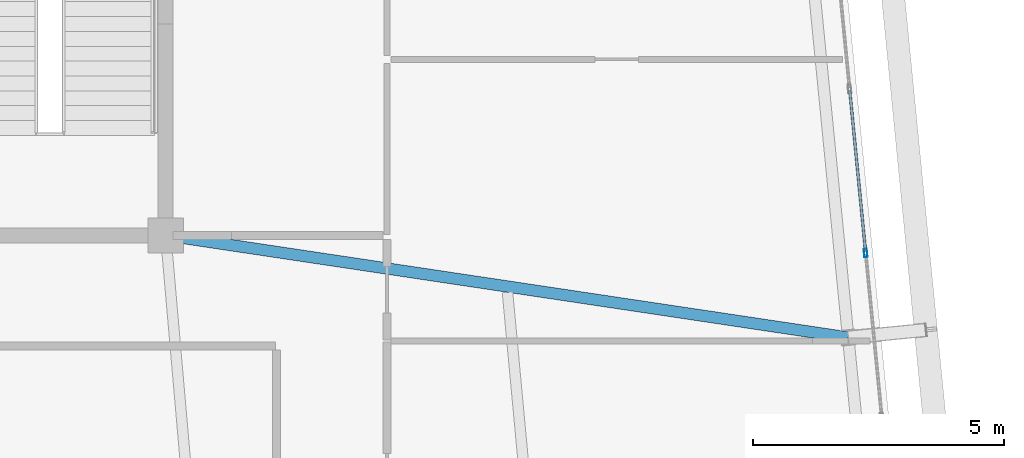
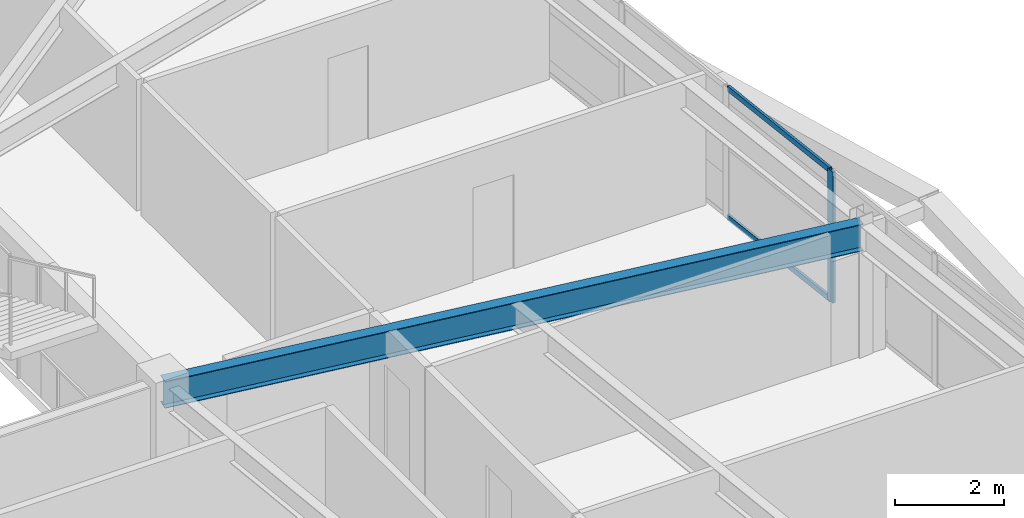
# One storey, part 25 of 53: 3 members, 1 beam, 1 element without a shape of its own.
"""IFC4 building model written with IfcOpenShell, lengths in metres."""

import ifcopenshell
import ifcopenshell.guid

model = None  # the IFC model being written
_history = None  # IfcOwnerHistory: only IFC2X3 demands one
_inside = {}  # id of a spatial element -> (the spatial element, [elements in it])
_under = {}  # id of a project, library or spatial element -> (it, [spatial elements below it])
_declared = {}  # id of a project -> (the project, [libraries it declares])
_typed = {}  # id of a type object -> (the type object, [elements of that type])
_made_of = {}  # id of a material, layer set ... -> (it, [elements and type objects made of it])


def new_model(schema):
    """Start an empty IFC model of exactly this schema.

    Asked for "IFC4X3", IfcOpenShell would pick the latest addendum, in which some entities
    have other attributes; the version numbers below select the first issue.
    IFC2X3 requires an IfcOwnerHistory on every rooted entity: one is made here for all.
    """
    global model, _history
    if schema == "IFC4X3":
        model = ifcopenshell.file(schema_version=(4, 3, 0, 0))
    else:
        model = ifcopenshell.file(schema=schema)
    _inside.clear()
    _under.clear()
    _declared.clear()
    _typed.clear()
    _made_of.clear()
    _history = None
    if model.schema == "IFC2X3":
        org = make("IfcOrganization", Name="unknown")
        user = make(
            "IfcPersonAndOrganization",
            ThePerson=make("IfcPerson", FamilyName="unknown"),
            TheOrganization=org,
        )
        app = make(
            "IfcApplication",
            ApplicationDeveloper=org,
            Version="unknown",
            ApplicationFullName="unknown",
            ApplicationIdentifier="unknown",
        )
        _history = make(
            "IfcOwnerHistory",
            OwningUser=user,
            OwningApplication=app,
            ChangeAction="ADDED",
            CreationDate=0,
        )
    return model


def make(cls, **values):
    """One entity of the class cls with the attributes given. An attribute that is None is left unset."""
    return model.create_entity(
        cls, **{name: value for name, value in values.items() if value is not None}
    )


def rooted(cls, **values):
    """An entity with a GlobalId (a new one), such as an element, a storey or a relation."""
    return make(cls, GlobalId=ifcopenshell.guid.new(), OwnerHistory=_history, **values)


def si_unit(unit_type, name, prefix=None):
    """IfcSIUnit, for example si_unit("LENGTHUNIT", "METRE", prefix="MILLI")."""
    return make("IfcSIUnit", UnitType=unit_type, Prefix=prefix, Name=name)


def assignment(units):
    """IfcUnitAssignment: the units of a project."""
    return None if units is None else make("IfcUnitAssignment", Units=units)


def point(xyz):
    """IfcCartesianPoint."""
    return None if xyz is None else make("IfcCartesianPoint", Coordinates=xyz)


def direction(xyz):
    """IfcDirection."""
    return None if xyz is None else make("IfcDirection", DirectionRatios=xyz)


def frame(location, z_axis=None, x_axis=None):
    """IfcAxis2Placement3D, a coordinate frame: its origin and axes. An axis left out is left unset."""
    return make(
        "IfcAxis2Placement3D",
        Location=point(location),
        Axis=direction(z_axis),
        RefDirection=direction(x_axis),
    )


def frame_2d(location, x_axis=None):
    """IfcAxis2Placement2D, a coordinate frame in the plane: its origin and x axis."""
    return make(
        "IfcAxis2Placement2D", Location=point(location), RefDirection=direction(x_axis)
    )


def origin():
    """The frame at (0, 0, 0) with its axes left unset."""
    return frame((0.0, 0.0, 0.0))


def origin_2d():
    """The frame at (0, 0) in the plane with its x axis left unset."""
    return frame_2d((0.0, 0.0))


def place(relative_to, where):
    """IfcLocalPlacement: puts the frame where relative to a parent placement (None: the world)."""
    return make(
        "IfcLocalPlacement", PlacementRelTo=relative_to, RelativePlacement=where
    )


def context(
    kind, dimensions, precision=None, world=None, true_north=None, identifier=None
):
    """IfcGeometricRepresentationContext, for example the 3D "Model" context."""
    return make(
        "IfcGeometricRepresentationContext",
        ContextIdentifier=identifier,
        ContextType=kind,
        CoordinateSpaceDimension=dimensions,
        Precision=precision,
        WorldCoordinateSystem=world,
        TrueNorth=true_north,
    )


def subcontext(parent, identifier, kind, view, scale=None):
    """IfcGeometricRepresentationSubContext, for example "Body" below "Model"."""
    return make(
        "IfcGeometricRepresentationSubContext",
        ContextIdentifier=identifier,
        ContextType=kind,
        ParentContext=parent,
        TargetScale=scale,
        TargetView=view,
    )


def project(units=None, contexts=None):
    """IfcProject with its units and contexts."""
    return rooted(
        "IfcProject",
        Name="project",
        RepresentationContexts=contexts,
        UnitsInContext=assignment(units),
    )


def spatial(cls, under=None, at=None, **own):
    """A site, building, storey or space (cls), placed at a placement, below another one or the project."""
    s = rooted(cls, ObjectPlacement=at, **own)
    if under is not None:
        _under.setdefault(under.id(), (under, []))[1].append(s)
    return s


def profile(cls, at=None, kind="AREA", **sizes):
    """A parametric profile (cls). Its sizes go by their IFC names, for example OverallWidth=200.0."""
    return make(cls, ProfileType=kind, Position=at, **sizes)


def hollow_rectangle(**sizes):
    """IfcRectangleHollowProfileDef."""
    return profile("IfcRectangleHollowProfileDef", **sizes)


def i_section(**sizes):
    """IfcIShapeProfileDef."""
    return profile("IfcIShapeProfileDef", **sizes)


def extrude(swept, where, along, depth):
    """IfcExtrudedAreaSolid: the profile swept, set in the frame where, extruded along a direction by depth."""
    return make(
        "IfcExtrudedAreaSolid",
        SweptArea=swept,
        Position=where,
        ExtrudedDirection=direction(along),
        Depth=depth,
    )


def shape(context_of_items, identifier, shape_type, items):
    """IfcShapeRepresentation: the items that make up one representation, for example the "Body"."""
    return make(
        "IfcShapeRepresentation",
        ContextOfItems=context_of_items,
        RepresentationIdentifier=identifier,
        RepresentationType=shape_type,
        Items=items,
    )


def source(mapping_origin, context_of_items, identifier, shape_type, items):
    """IfcRepresentationMap: a shape defined once, which mapped items show again and again."""
    return make(
        "IfcRepresentationMap",
        MappingOrigin=mapping_origin,
        MappedRepresentation=shape(context_of_items, identifier, shape_type, items),
    )


def transform(
    local_origin,
    x_axis=None,
    y_axis=None,
    z_axis=None,
    scale=None,
    scale2=None,
    scale3=None,
    uniform=True,
):
    """IfcCartesianTransformationOperator3D, or its non-uniform kind. x_axis, y_axis, z_axis: its Axis1, 2, 3."""
    if uniform:
        return make(
            "IfcCartesianTransformationOperator3D",
            Axis1=direction(x_axis),
            Axis2=direction(y_axis),
            LocalOrigin=point(local_origin),
            Scale=scale,
            Axis3=direction(z_axis),
        )
    return make(
        "IfcCartesianTransformationOperator3DnonUniform",
        Axis1=direction(x_axis),
        Axis2=direction(y_axis),
        LocalOrigin=point(local_origin),
        Scale=scale,
        Axis3=direction(z_axis),
        Scale2=scale2,
        Scale3=scale3,
    )


def mapped(mapping_source, mapping_target):
    """IfcMappedItem: shows the shape of a source again, moved by a transform."""
    return make(
        "IfcMappedItem", MappingSource=mapping_source, MappingTarget=mapping_target
    )


def material(Name=None, Category=None):
    """IfcMaterial."""
    return make("IfcMaterial", Name=Name, Category=Category)


def layer(
    of_material, thickness, ventilated=None, Name=None, Category=None, Priority=None
):
    """IfcMaterialLayer: one layer of a wall or slab, of a material (None: an air gap)."""
    return make(
        "IfcMaterialLayer",
        Material=of_material,
        LayerThickness=thickness,
        IsVentilated=ventilated,
        Name=Name,
        Category=Category,
        Priority=Priority,
    )


def layer_set(layers, Name=None):
    """IfcMaterialLayerSet."""
    return make("IfcMaterialLayerSet", MaterialLayers=layers, LayerSetName=Name)


def material_profile(
    of_material, cross_section, Name=None, Category=None, Priority=None
):
    """IfcMaterialProfile: a cross section and its material."""
    return make(
        "IfcMaterialProfile",
        Name=Name,
        Material=of_material,
        Profile=cross_section,
        Priority=Priority,
        Category=Category,
    )


def profile_set(profiles, Name=None, composite=None):
    """IfcMaterialProfileSet."""
    return make(
        "IfcMaterialProfileSet",
        Name=Name,
        MaterialProfiles=profiles,
        CompositeProfile=composite,
    )


def made_of(thing, what):
    """Note that an element or type object is made of a material, layer set ...; save() writes the relation."""
    if what is not None:
        _made_of.setdefault(what.id(), (what, []))[1].append(thing)
    return thing


def type_object(cls, material=None, **own):
    """A type object (cls), such as IfcWallType, which elements share."""
    return made_of(rooted(cls, **own), material)


def element(
    cls,
    number,
    at=None,
    inside=None,
    cuts=None,
    type_object=None,
    material=None,
    context=None,
    identifier="Body",
    shape_type=None,
    held_by="IfcProductDefinitionShape",
    body=None,
    shapes=None,
    **own,
):
    """One element of the class cls, such as IfcWall. Its Tag is "e" and its number.

    at: its placement. inside: the storey or other place that contains it. cuts: it is an
    opening in that element (IfcRelVoidsElement). A single representation is given by context,
    identifier, shape_type and body (its items); several are given by shapes. held_by: the class
    of the entity that holds the representations. save() writes the other relations.
    """
    e = rooted(cls, Tag="e%d" % number, ObjectPlacement=at, **own)
    if body is not None:
        shapes = [shape(context, identifier, shape_type, body)]
    if shapes is not None:
        e.Representation = make(held_by, Representations=shapes)
    if inside is not None:
        _inside.setdefault(inside.id(), (inside, []))[1].append(e)
    if cuts is not None:
        rooted(
            "IfcRelVoidsElement", RelatingBuildingElement=cuts, RelatedOpeningElement=e
        )
    if type_object is not None:
        _typed.setdefault(type_object.id(), (type_object, []))[1].append(e)
    return made_of(e, material)


def aggregate(whole, parts):
    """IfcRelAggregates: a whole, such as a stair, and the parts it consists of."""
    return rooted("IfcRelAggregates", RelatingObject=whole, RelatedObjects=parts)


def save(model, path):
    """Write the relations noted so far, then the file.

    IfcRelAggregates (storeys below a building ...), IfcRelContainedInSpatialStructure (elements
    in a storey), IfcRelDefinesByType, IfcRelAssociatesMaterial and IfcRelDeclares: one each for
    every whole, place, type object, material and project.
    """
    for whole, parts in _under.values():
        aggregate(whole, parts)
    for where, things in _inside.values():
        rooted(
            "IfcRelContainedInSpatialStructure",
            RelatedElements=things,
            RelatingStructure=where,
        )
    for kind, things in _typed.values():
        rooted("IfcRelDefinesByType", RelatedObjects=things, RelatingType=kind)
    for what, things in _made_of.values():
        rooted("IfcRelAssociatesMaterial", RelatedObjects=things, RelatingMaterial=what)
    for by, libraries in _declared.values():
        rooted("IfcRelDeclares", RelatingContext=by, RelatedDefinitions=libraries)
    model.write(path)


model = new_model("IFC4")

# Units and contexts
model_context = context("Model", 3, precision=1e-05, world=origin(), true_north=direction((0.0, 1.0)))
body_context = subcontext(model_context, "Body", "Model", "MODEL_VIEW")
ifc_project = project(units=[si_unit("LENGTHUNIT", "METRE"), si_unit("AREAUNIT", "SQUARE_METRE"), si_unit("VOLUMEUNIT", "CUBIC_METRE"), si_unit("PLANEANGLEUNIT", "RADIAN"), si_unit("MASSUNIT", "GRAM", prefix="KILO")], contexts=[model_context])

# Site, building, storey
site_placement = place(None, origin())
site = spatial("IfcSite", under=ifc_project, at=site_placement, CompositionType="ELEMENT")
building_placement = place(site_placement, origin())
building = spatial("IfcBuilding", under=site, at=building_placement, Name="Taldren Reach Tower", CompositionType="ELEMENT")
storey_placement = place(building_placement, frame((0.0, 0.0, 68.25)))
storey = spatial("IfcBuildingStorey", under=building, at=storey_placement, Name="L20", CompositionType="ELEMENT", Elevation=68.25)

# Beam
ifc_material_1 = material(Name="Steel Gr 350 (350PLUS)", Category="steel")
ifc_material_profile_1 = material_profile(ifc_material_1, i_section(OverallWidth=0.22802734375, OverallDepth=0.60205078125, WebThickness=0.010498046875, FlangeThickness=0.014892578125, at=origin_2d()), Name="610UB101")
ifc_profile_set_1 = profile_set([ifc_material_profile_1], Name="Steel Gr 350 (350PLUS)")
beam_type = type_object("IfcBeamType", Name="BM-UB610B", PredefinedType="BEAM", material=ifc_profile_set_1)
shared_shape_1 = source(origin(), body_context, "Body", "SweptSolid", [
    extrude(i_section(OverallWidth=0.22802734375, OverallDepth=0.60205078125, WebThickness=0.010498046875, FlangeThickness=0.014892578125, at=origin_2d()), origin(), (0.0, 0.0, 1.0), 13.720703125),
])
beam_placement = place(storey_placement, frame((51.0, 24.0, 2.62890625), z_axis=(0.988983679407, -0.148024598856, 0.0), x_axis=(0.148024598856, 0.988983679407, 0.0)))
element("IfcBeam", 1, at=beam_placement, inside=storey, type_object=beam_type, Name="Primary floor girder B2-E2 L20", PredefinedType="BEAM", context=body_context, shape_type="MappedRepresentation", body=[
    mapped(shared_shape_1, transform((0.0, 0.0, 0.0), scale=1.0)),
])

# Curtain wall, members
ifc_material_2 = material(Name="Aluminium and Low-E Glass Unitised System", Category="aluminium")
ifc_layer = layer(ifc_material_2, 0.159912109375)
ifc_layer_set = layer_set([ifc_layer], Name="Aluminium and Low-E Glass Unitised System")
curtain_wall_type = type_object("IfcCurtainWallType", Name="CW-SYS-3", PredefinedType="NOTDEFINED", material=ifc_layer_set)
curtain_wall_placement = place(storey_placement, origin())
curtain_wall = element("IfcCurtainWall", 2, at=curtain_wall_placement, inside=storey, type_object=curtain_wall_type, Name="Unitised curtain wall CW-L20-E", PredefinedType="NOTDEFINED")
ifc_material_3 = material(Name="Anodised Aluminium 6063-T6", Category="aluminium")
ifc_material_profile_2 = material_profile(ifc_material_3, hollow_rectangle(XDim=0.06494140625, YDim=0.1650390625, WallThickness=0.00390625, at=origin_2d()), Name="ALU-165x65x4RHS")
ifc_profile_set_2 = profile_set([ifc_material_profile_2], Name="Anodised Aluminium 6063-T6")
member_type_1 = type_object("IfcMemberType", Name="CW-MUL-165", PredefinedType="MULLION", material=ifc_profile_set_2)
shared_shape_2 = source(origin(), body_context, "Body", "SweptSolid", [
    extrude(hollow_rectangle(XDim=0.06494140625, YDim=0.1650390625, WallThickness=0.00390625, at=origin_2d()), origin(), (0.0, 0.0, 1.0), 2.929931640625),
])
member_1_placement = place(storey_placement, frame((64.9169921875, 23.649658203125, 0.0), z_axis=(0.0, 0.0, 1.0), x_axis=(-0.99522741555, -0.09758274098, 0.0)))
member_1 = element("IfcMember", 3, at=member_1_placement, type_object=member_type_1, Name="CW-3 mullion 6", PredefinedType="MULLION", context=body_context, shape_type="MappedRepresentation", body=[
    mapped(shared_shape_2, transform((0.0, 0.0, 0.0), scale=1.0)),
])
ifc_material_profile_3 = material_profile(ifc_material_3, hollow_rectangle(XDim=0.054931640625, YDim=0.1201171875, WallThickness=0.0029296875, at=origin_2d()), Name="ALU-120x55x3RHS")
ifc_profile_set_3 = profile_set([ifc_material_profile_3], Name="Anodised Aluminium 6063-T6")
member_type_2 = type_object("IfcMemberType", Name="CW-TRN-135", PredefinedType="USERDEFINED", material=ifc_profile_set_3)
shared_shape_3 = source(origin(), body_context, "Body", "SweptSolid", [
    extrude(hollow_rectangle(XDim=0.054931640625, YDim=0.1201171875, WallThickness=0.0029296875, at=origin_2d()), origin(), (0.0, 0.0, 1.0), 3.212646484375),
])
member_2_placement = place(storey_placement, frame((64.913818359375, 23.68212890625, 0.027587890625), z_axis=(-0.097577327663, 0.995227946315, 0.0), x_axis=(-0.995227946315, -0.097577327663, 0.0)))
member_2 = element("IfcMember", 4, at=member_2_placement, type_object=member_type_2, Name="CW-3 transom 6.1", ObjectType="TRANSOM", PredefinedType="USERDEFINED", context=body_context, shape_type="MappedRepresentation", body=[
    mapped(shared_shape_3, transform((0.0, 0.0, 0.0), scale=1.0)),
])
member_3_placement = place(storey_placement, frame((64.913818359375, 23.68212890625, 2.902587890625), z_axis=(-0.097577327663, 0.995227946315, 0.0), x_axis=(-0.995227946315, -0.097577327663, 0.0)))
member_3 = element("IfcMember", 5, at=member_3_placement, type_object=member_type_2, Name="CW-3 transom 6.2", ObjectType="TRANSOM", PredefinedType="USERDEFINED", context=body_context, shape_type="MappedRepresentation", body=[
    mapped(shared_shape_3, transform((0.0, 0.0, 0.0), scale=1.0)),
])
aggregate(curtain_wall, [member_1, member_2, member_3])

save(model, "model.ifc")
